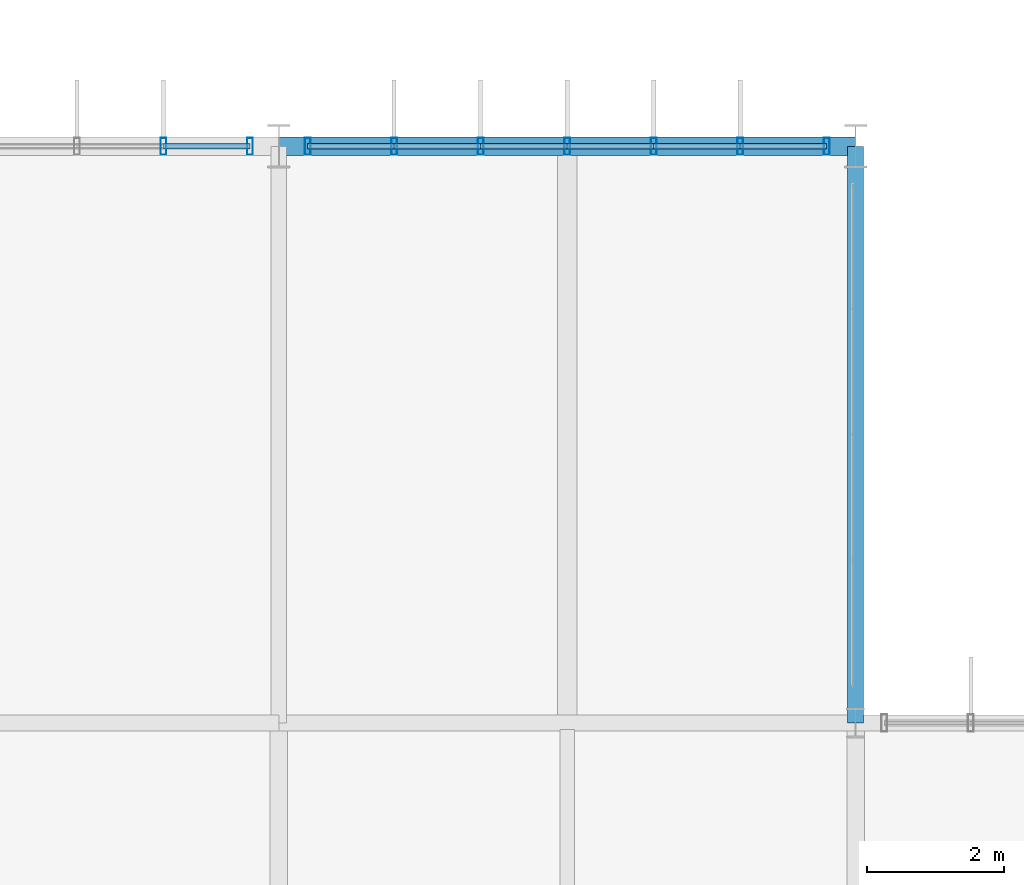
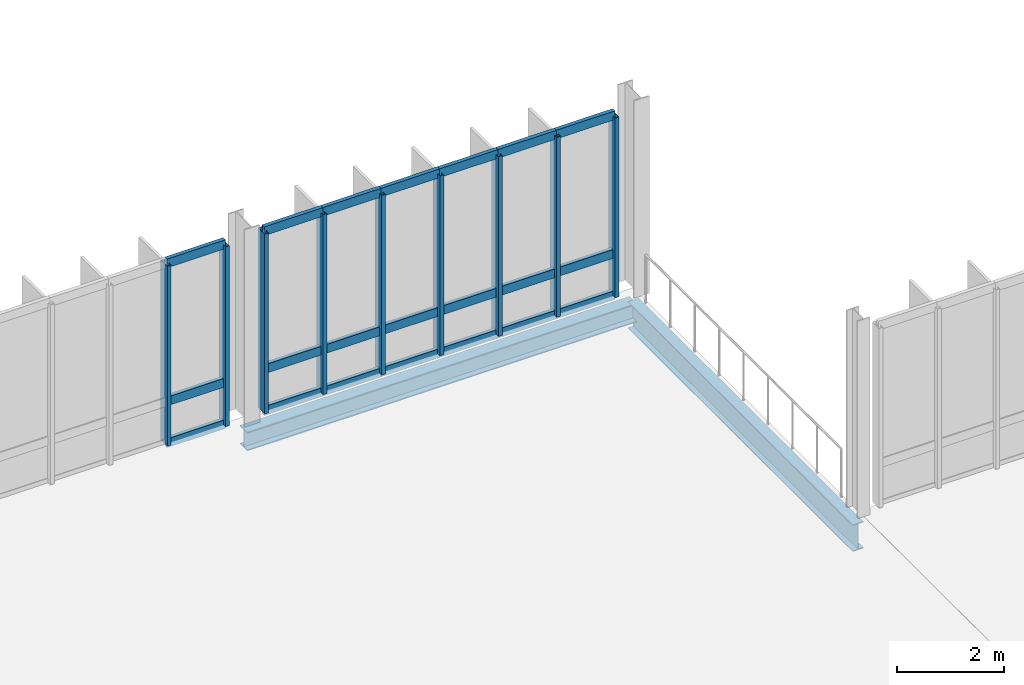
# One storey, part 83 of 139: 30 members, 2 beams, 2 elements without a shape of their own.
"""IFC4 building model written with IfcOpenShell, lengths in metres."""

from ifc_helpers import new_model, si_unit, derived_unit, direction, frame, origin, origin_2d, place, context, subcontext, project, spatial, hollow_rectangle, i_section, extrude, material, layer, layer_set, material_profile, profile_set, type_object, element, aggregate, save


model = new_model("IFC4")

# Units and contexts
model_context = context("Model", 3, precision=1e-05, world=origin(), true_north=direction((0.0, 1.0)))
body_context = subcontext(model_context, "Body", "Model", "MODEL_VIEW")
ifc_project = project(units=[si_unit("LENGTHUNIT", "METRE"), si_unit("AREAUNIT", "SQUARE_METRE"), si_unit("VOLUMEUNIT", "CUBIC_METRE"), si_unit("PLANEANGLEUNIT", "RADIAN"), si_unit("MASSUNIT", "GRAM", prefix="KILO"), derived_unit("THERMALTRANSMITTANCEUNIT", [(si_unit("MASSUNIT", "GRAM", prefix="KILO"), 1), (si_unit("TIMEUNIT", "SECOND"), -3), (si_unit("THERMODYNAMICTEMPERATUREUNIT", "KELVIN"), -1)])], contexts=[model_context])

# Site, building, storey
site_placement = place(None, origin())
site = spatial("IfcSite", under=ifc_project, at=site_placement, CompositionType="ELEMENT")
building_placement = place(site_placement, origin())
building = spatial("IfcBuilding", under=site, at=building_placement, Name="Makaiwela Harbour Ferry Terminal", CompositionType="ELEMENT")
storey_placement = place(building_placement, frame((0.0, 0.0, 5.10009765625)))
storey = spatial("IfcBuildingStorey", under=building, at=storey_placement, Name="L01", CompositionType="ELEMENT", Elevation=5.10009765625)

# Curtain wall, members
ifc_material_1 = material(Name="Marine anodised aluminium 6063-T6", Category="aluminium")
ifc_layer = layer(ifc_material_1, 0.199951171875)
ifc_layer_set = layer_set([ifc_layer], Name="Marine anodised aluminium 6063-T6")
curtain_wall_type = type_object("IfcCurtainWallType", Name="ENV-CW-08", PredefinedType="USERDEFINED", material=ifc_layer_set)
curtain_wall_1_placement = place(storey_placement, origin())
curtain_wall_1 = element("IfcCurtainWall", 1, at=curtain_wall_1_placement, inside=storey, type_object=curtain_wall_type, Name="Unitised Curtain Wall CWA-091", ObjectType="UNITIZED CURTAIN WALL", PredefinedType="USERDEFINED")
ifc_material_profile_1 = material_profile(ifc_material_1, hollow_rectangle(XDim=0.0849609375, YDim=0.25, WallThickness=0.0048828125, at=origin_2d()), Name="CWM-250X85")
ifc_profile_set_1 = profile_set([ifc_material_profile_1], Name="Marine anodised aluminium 6063-T6")
member_type_1 = type_object("IfcMemberType", Name="CW-MUL-250", PredefinedType="MULLION", material=ifc_profile_set_1)
member_1_placement = place(storey_placement, frame((128.52001953125, 103.39990234375, 0.0), z_axis=(0.0, 0.0, 1.0), x_axis=(1.0, 0.0, 0.0)))
member_1 = element("IfcMember", 2, at=member_1_placement, type_object=member_type_1, Name="Curtain Wall Mullion CWA-091-6", PredefinedType="MULLION", context=body_context, shape_type="SweptSolid", body=[
    extrude(hollow_rectangle(XDim=0.0849609375, YDim=0.25, WallThickness=0.0048828125, at=origin_2d()), origin(), (0.0, 0.0, 1.0), 4.099853515625),
])
member_2_placement = place(storey_placement, frame((129.780029296875, 103.39990234375, 0.0), z_axis=(0.0, 0.0, 1.0), x_axis=(1.0, 0.0, 0.0)))
member_2 = element("IfcMember", 3, at=member_2_placement, type_object=member_type_1, Name="Curtain Wall Mullion CWA-091-7", PredefinedType="MULLION", context=body_context, shape_type="SweptSolid", body=[
    extrude(hollow_rectangle(XDim=0.0849609375, YDim=0.25, WallThickness=0.0048828125, at=origin_2d()), origin(), (0.0, 0.0, 1.0), 4.099853515625),
])

curtain_wall_2_placement = place(storey_placement, origin())
curtain_wall_2 = element("IfcCurtainWall", 4, at=curtain_wall_2_placement, inside=storey, type_object=curtain_wall_type, Name="Unitised Curtain Wall CWA-094", ObjectType="UNITIZED CURTAIN WALL", PredefinedType="USERDEFINED")
member_3_placement = place(storey_placement, frame((130.6201171875, 103.39990234375, 0.0), z_axis=(0.0, 0.0, 1.0), x_axis=(1.0, 0.0, 0.0)))
member_3 = element("IfcMember", 5, at=member_3_placement, type_object=member_type_1, Name="Curtain Wall Mullion CWA-094-1", PredefinedType="MULLION", context=body_context, shape_type="SweptSolid", body=[
    extrude(hollow_rectangle(XDim=0.0849609375, YDim=0.25, WallThickness=0.0048828125, at=origin_2d()), origin(), (0.0, 0.0, 1.0), 4.099853515625),
])
member_4_placement = place(storey_placement, frame((131.8798828125, 103.39990234375, 0.0), z_axis=(0.0, 0.0, 1.0), x_axis=(1.0, 0.0, 0.0)))
member_4 = element("IfcMember", 6, at=member_4_placement, type_object=member_type_1, Name="Curtain Wall Mullion CWA-094-2", PredefinedType="MULLION", context=body_context, shape_type="SweptSolid", body=[
    extrude(hollow_rectangle(XDim=0.0849609375, YDim=0.25, WallThickness=0.0048828125, at=origin_2d()), origin(), (0.0, 0.0, 1.0), 4.099853515625),
])
member_5_placement = place(storey_placement, frame((133.139892578125, 103.39990234375, 0.0), z_axis=(0.0, 0.0, 1.0), x_axis=(1.0, 0.0, 0.0)))
member_5 = element("IfcMember", 7, at=member_5_placement, type_object=member_type_1, Name="Curtain Wall Mullion CWA-094-3", PredefinedType="MULLION", context=body_context, shape_type="SweptSolid", body=[
    extrude(hollow_rectangle(XDim=0.0849609375, YDim=0.25, WallThickness=0.0048828125, at=origin_2d()), origin(), (0.0, 0.0, 1.0), 4.099853515625),
])
member_6_placement = place(storey_placement, frame((134.39990234375, 103.39990234375, 0.0), z_axis=(0.0, 0.0, 1.0), x_axis=(1.0, 0.0, 0.0)))
member_6 = element("IfcMember", 8, at=member_6_placement, type_object=member_type_1, Name="Curtain Wall Mullion CWA-094-4", PredefinedType="MULLION", context=body_context, shape_type="SweptSolid", body=[
    extrude(hollow_rectangle(XDim=0.0849609375, YDim=0.25, WallThickness=0.0048828125, at=origin_2d()), origin(), (0.0, 0.0, 1.0), 4.099853515625),
])
member_7_placement = place(storey_placement, frame((135.659912109375, 103.39990234375, 0.0), z_axis=(0.0, 0.0, 1.0), x_axis=(1.0, 0.0, 0.0)))
member_7 = element("IfcMember", 9, at=member_7_placement, type_object=member_type_1, Name="Curtain Wall Mullion CWA-094-5", PredefinedType="MULLION", context=body_context, shape_type="SweptSolid", body=[
    extrude(hollow_rectangle(XDim=0.0849609375, YDim=0.25, WallThickness=0.0048828125, at=origin_2d()), origin(), (0.0, 0.0, 1.0), 4.099853515625),
])
member_8_placement = place(storey_placement, frame((136.919921875, 103.39990234375, 0.0), z_axis=(0.0, 0.0, 1.0), x_axis=(1.0, 0.0, 0.0)))
member_8 = element("IfcMember", 10, at=member_8_placement, type_object=member_type_1, Name="Curtain Wall Mullion CWA-094-6", PredefinedType="MULLION", context=body_context, shape_type="SweptSolid", body=[
    extrude(hollow_rectangle(XDim=0.0849609375, YDim=0.25, WallThickness=0.0048828125, at=origin_2d()), origin(), (0.0, 0.0, 1.0), 4.099853515625),
])
member_9_placement = place(storey_placement, frame((138.179931640625, 103.39990234375, 0.0), z_axis=(0.0, 0.0, 1.0), x_axis=(1.0, 0.0, 0.0)))
member_9 = element("IfcMember", 11, at=member_9_placement, type_object=member_type_1, Name="Curtain Wall Mullion CWA-094-7", PredefinedType="MULLION", context=body_context, shape_type="SweptSolid", body=[
    extrude(hollow_rectangle(XDim=0.0849609375, YDim=0.25, WallThickness=0.0048828125, at=origin_2d()), origin(), (0.0, 0.0, 1.0), 4.099853515625),
])

# Member
ifc_material_profile_2 = material_profile(ifc_material_1, hollow_rectangle(XDim=0.0849609375, YDim=0.199951171875, WallThickness=0.0048828125, at=origin_2d()), Name="CWT-200X85")
ifc_profile_set_2 = profile_set([ifc_material_profile_2], Name="Marine anodised aluminium 6063-T6")
member_type_2 = type_object("IfcMemberType", Name="CW-TRN-200", PredefinedType="USERDEFINED", material=ifc_profile_set_2)
member_10_placement = place(storey_placement, frame((128.52001953125, 103.39990234375, 0.0), z_axis=(1.0, 0.0, 0.0), x_axis=(0.0, 1.0, 0.0)))
member_10 = element("IfcMember", 12, at=member_10_placement, type_object=member_type_2, Name="Curtain Wall Transom CWA-091-6-1", ObjectType="TRANSOM", PredefinedType="USERDEFINED", context=body_context, shape_type="SweptSolid", body=[
    extrude(hollow_rectangle(XDim=0.0849609375, YDim=0.199951171875, WallThickness=0.0048828125, at=origin_2d()), origin(), (0.0, 0.0, 1.0), 1.260009765625),
])

member_11_placement = place(storey_placement, frame((128.52001953125, 103.39990234375, 0.949951171875), z_axis=(1.0, 0.0, 0.0), x_axis=(0.0, 1.0, 0.0)))
member_11 = element("IfcMember", 13, at=member_11_placement, type_object=member_type_2, Name="Curtain Wall Transom CWA-091-6-2", ObjectType="TRANSOM", PredefinedType="USERDEFINED", context=body_context, shape_type="SweptSolid", body=[
    extrude(hollow_rectangle(XDim=0.0849609375, YDim=0.199951171875, WallThickness=0.0048828125, at=origin_2d()), origin(), (0.0, 0.0, 1.0), 1.260009765625),
])

member_12_placement = place(storey_placement, frame((128.52001953125, 103.39990234375, 4.099853515625), z_axis=(1.0, 0.0, 0.0), x_axis=(0.0, 1.0, 0.0)))
member_12 = element("IfcMember", 14, at=member_12_placement, type_object=member_type_2, Name="Curtain Wall Transom CWA-091-6-3", ObjectType="TRANSOM", PredefinedType="USERDEFINED", context=body_context, shape_type="SweptSolid", body=[
    extrude(hollow_rectangle(XDim=0.0849609375, YDim=0.199951171875, WallThickness=0.0048828125, at=origin_2d()), origin(), (0.0, 0.0, 1.0), 1.260009765625),
])

aggregate(curtain_wall_1, [member_1, member_2, member_10, member_11, member_12])

member_13_placement = place(storey_placement, frame((130.6201171875, 103.39990234375, 0.0), z_axis=(1.0, 0.0, 0.0), x_axis=(0.0, 1.0, 0.0)))
member_13 = element("IfcMember", 15, at=member_13_placement, type_object=member_type_2, Name="Curtain Wall Transom CWA-094-1-1", ObjectType="TRANSOM", PredefinedType="USERDEFINED", context=body_context, shape_type="SweptSolid", body=[
    extrude(hollow_rectangle(XDim=0.0849609375, YDim=0.199951171875, WallThickness=0.0048828125, at=origin_2d()), origin(), (0.0, 0.0, 1.0), 1.259765625),
])

member_14_placement = place(storey_placement, frame((130.6201171875, 103.39990234375, 0.949951171875), z_axis=(1.0, 0.0, 0.0), x_axis=(0.0, 1.0, 0.0)))
member_14 = element("IfcMember", 16, at=member_14_placement, type_object=member_type_2, Name="Curtain Wall Transom CWA-094-1-2", ObjectType="TRANSOM", PredefinedType="USERDEFINED", context=body_context, shape_type="SweptSolid", body=[
    extrude(hollow_rectangle(XDim=0.0849609375, YDim=0.199951171875, WallThickness=0.0048828125, at=origin_2d()), origin(), (0.0, 0.0, 1.0), 1.259765625),
])

member_15_placement = place(storey_placement, frame((130.6201171875, 103.39990234375, 4.099853515625), z_axis=(1.0, 0.0, 0.0), x_axis=(0.0, 1.0, 0.0)))
member_15 = element("IfcMember", 17, at=member_15_placement, type_object=member_type_2, Name="Curtain Wall Transom CWA-094-1-3", ObjectType="TRANSOM", PredefinedType="USERDEFINED", context=body_context, shape_type="SweptSolid", body=[
    extrude(hollow_rectangle(XDim=0.0849609375, YDim=0.199951171875, WallThickness=0.0048828125, at=origin_2d()), origin(), (0.0, 0.0, 1.0), 1.259765625),
])

member_16_placement = place(storey_placement, frame((131.8798828125, 103.39990234375, 0.0), z_axis=(1.0, 0.0, 0.0), x_axis=(0.0, 1.0, 0.0)))
member_16 = element("IfcMember", 18, at=member_16_placement, type_object=member_type_2, Name="Curtain Wall Transom CWA-094-2-1", ObjectType="TRANSOM", PredefinedType="USERDEFINED", context=body_context, shape_type="SweptSolid", body=[
    extrude(hollow_rectangle(XDim=0.0849609375, YDim=0.199951171875, WallThickness=0.0048828125, at=origin_2d()), origin(), (0.0, 0.0, 1.0), 1.260009765625),
])

member_17_placement = place(storey_placement, frame((131.8798828125, 103.39990234375, 0.949951171875), z_axis=(1.0, 0.0, 0.0), x_axis=(0.0, 1.0, 0.0)))
member_17 = element("IfcMember", 19, at=member_17_placement, type_object=member_type_2, Name="Curtain Wall Transom CWA-094-2-2", ObjectType="TRANSOM", PredefinedType="USERDEFINED", context=body_context, shape_type="SweptSolid", body=[
    extrude(hollow_rectangle(XDim=0.0849609375, YDim=0.199951171875, WallThickness=0.0048828125, at=origin_2d()), origin(), (0.0, 0.0, 1.0), 1.260009765625),
])

member_18_placement = place(storey_placement, frame((131.8798828125, 103.39990234375, 4.099853515625), z_axis=(1.0, 0.0, 0.0), x_axis=(0.0, 1.0, 0.0)))
member_18 = element("IfcMember", 20, at=member_18_placement, type_object=member_type_2, Name="Curtain Wall Transom CWA-094-2-3", ObjectType="TRANSOM", PredefinedType="USERDEFINED", context=body_context, shape_type="SweptSolid", body=[
    extrude(hollow_rectangle(XDim=0.0849609375, YDim=0.199951171875, WallThickness=0.0048828125, at=origin_2d()), origin(), (0.0, 0.0, 1.0), 1.260009765625),
])

member_19_placement = place(storey_placement, frame((133.139892578125, 103.39990234375, 0.0), z_axis=(1.0, 0.0, 0.0), x_axis=(0.0, 1.0, 0.0)))
member_19 = element("IfcMember", 21, at=member_19_placement, type_object=member_type_2, Name="Curtain Wall Transom CWA-094-3-1", ObjectType="TRANSOM", PredefinedType="USERDEFINED", context=body_context, shape_type="SweptSolid", body=[
    extrude(hollow_rectangle(XDim=0.0849609375, YDim=0.199951171875, WallThickness=0.0048828125, at=origin_2d()), origin(), (0.0, 0.0, 1.0), 1.260009765625),
])

member_20_placement = place(storey_placement, frame((133.139892578125, 103.39990234375, 0.949951171875), z_axis=(1.0, 0.0, 0.0), x_axis=(0.0, 1.0, 0.0)))
member_20 = element("IfcMember", 22, at=member_20_placement, type_object=member_type_2, Name="Curtain Wall Transom CWA-094-3-2", ObjectType="TRANSOM", PredefinedType="USERDEFINED", context=body_context, shape_type="SweptSolid", body=[
    extrude(hollow_rectangle(XDim=0.0849609375, YDim=0.199951171875, WallThickness=0.0048828125, at=origin_2d()), origin(), (0.0, 0.0, 1.0), 1.260009765625),
])

member_21_placement = place(storey_placement, frame((133.139892578125, 103.39990234375, 4.099853515625), z_axis=(1.0, 0.0, 0.0), x_axis=(0.0, 1.0, 0.0)))
member_21 = element("IfcMember", 23, at=member_21_placement, type_object=member_type_2, Name="Curtain Wall Transom CWA-094-3-3", ObjectType="TRANSOM", PredefinedType="USERDEFINED", context=body_context, shape_type="SweptSolid", body=[
    extrude(hollow_rectangle(XDim=0.0849609375, YDim=0.199951171875, WallThickness=0.0048828125, at=origin_2d()), origin(), (0.0, 0.0, 1.0), 1.260009765625),
])

member_22_placement = place(storey_placement, frame((134.39990234375, 103.39990234375, 0.0), z_axis=(1.0, 0.0, 0.0), x_axis=(0.0, 1.0, 0.0)))
member_22 = element("IfcMember", 24, at=member_22_placement, type_object=member_type_2, Name="Curtain Wall Transom CWA-094-4-1", ObjectType="TRANSOM", PredefinedType="USERDEFINED", context=body_context, shape_type="SweptSolid", body=[
    extrude(hollow_rectangle(XDim=0.0849609375, YDim=0.199951171875, WallThickness=0.0048828125, at=origin_2d()), origin(), (0.0, 0.0, 1.0), 1.260009765625),
])

member_23_placement = place(storey_placement, frame((134.39990234375, 103.39990234375, 0.949951171875), z_axis=(1.0, 0.0, 0.0), x_axis=(0.0, 1.0, 0.0)))
member_23 = element("IfcMember", 25, at=member_23_placement, type_object=member_type_2, Name="Curtain Wall Transom CWA-094-4-2", ObjectType="TRANSOM", PredefinedType="USERDEFINED", context=body_context, shape_type="SweptSolid", body=[
    extrude(hollow_rectangle(XDim=0.0849609375, YDim=0.199951171875, WallThickness=0.0048828125, at=origin_2d()), origin(), (0.0, 0.0, 1.0), 1.260009765625),
])

member_24_placement = place(storey_placement, frame((134.39990234375, 103.39990234375, 4.099853515625), z_axis=(1.0, 0.0, 0.0), x_axis=(0.0, 1.0, 0.0)))
member_24 = element("IfcMember", 26, at=member_24_placement, type_object=member_type_2, Name="Curtain Wall Transom CWA-094-4-3", ObjectType="TRANSOM", PredefinedType="USERDEFINED", context=body_context, shape_type="SweptSolid", body=[
    extrude(hollow_rectangle(XDim=0.0849609375, YDim=0.199951171875, WallThickness=0.0048828125, at=origin_2d()), origin(), (0.0, 0.0, 1.0), 1.260009765625),
])

member_25_placement = place(storey_placement, frame((135.659912109375, 103.39990234375, 0.0), z_axis=(1.0, 0.0, 0.0), x_axis=(0.0, 1.0, 0.0)))
member_25 = element("IfcMember", 27, at=member_25_placement, type_object=member_type_2, Name="Curtain Wall Transom CWA-094-5-1", ObjectType="TRANSOM", PredefinedType="USERDEFINED", context=body_context, shape_type="SweptSolid", body=[
    extrude(hollow_rectangle(XDim=0.0849609375, YDim=0.199951171875, WallThickness=0.0048828125, at=origin_2d()), origin(), (0.0, 0.0, 1.0), 1.260009765625),
])

member_26_placement = place(storey_placement, frame((135.659912109375, 103.39990234375, 0.949951171875), z_axis=(1.0, 0.0, 0.0), x_axis=(0.0, 1.0, 0.0)))
member_26 = element("IfcMember", 28, at=member_26_placement, type_object=member_type_2, Name="Curtain Wall Transom CWA-094-5-2", ObjectType="TRANSOM", PredefinedType="USERDEFINED", context=body_context, shape_type="SweptSolid", body=[
    extrude(hollow_rectangle(XDim=0.0849609375, YDim=0.199951171875, WallThickness=0.0048828125, at=origin_2d()), origin(), (0.0, 0.0, 1.0), 1.260009765625),
])

member_27_placement = place(storey_placement, frame((135.659912109375, 103.39990234375, 4.099853515625), z_axis=(1.0, 0.0, 0.0), x_axis=(0.0, 1.0, 0.0)))
member_27 = element("IfcMember", 29, at=member_27_placement, type_object=member_type_2, Name="Curtain Wall Transom CWA-094-5-3", ObjectType="TRANSOM", PredefinedType="USERDEFINED", context=body_context, shape_type="SweptSolid", body=[
    extrude(hollow_rectangle(XDim=0.0849609375, YDim=0.199951171875, WallThickness=0.0048828125, at=origin_2d()), origin(), (0.0, 0.0, 1.0), 1.260009765625),
])

member_28_placement = place(storey_placement, frame((136.919921875, 103.39990234375, 0.0), z_axis=(1.0, 0.0, 0.0), x_axis=(0.0, 1.0, 0.0)))
member_28 = element("IfcMember", 30, at=member_28_placement, type_object=member_type_2, Name="Curtain Wall Transom CWA-094-6-1", ObjectType="TRANSOM", PredefinedType="USERDEFINED", context=body_context, shape_type="SweptSolid", body=[
    extrude(hollow_rectangle(XDim=0.0849609375, YDim=0.199951171875, WallThickness=0.0048828125, at=origin_2d()), origin(), (0.0, 0.0, 1.0), 1.260009765625),
])

member_29_placement = place(storey_placement, frame((136.919921875, 103.39990234375, 0.949951171875), z_axis=(1.0, 0.0, 0.0), x_axis=(0.0, 1.0, 0.0)))
member_29 = element("IfcMember", 31, at=member_29_placement, type_object=member_type_2, Name="Curtain Wall Transom CWA-094-6-2", ObjectType="TRANSOM", PredefinedType="USERDEFINED", context=body_context, shape_type="SweptSolid", body=[
    extrude(hollow_rectangle(XDim=0.0849609375, YDim=0.199951171875, WallThickness=0.0048828125, at=origin_2d()), origin(), (0.0, 0.0, 1.0), 1.260009765625),
])

member_30_placement = place(storey_placement, frame((136.919921875, 103.39990234375, 4.099853515625), z_axis=(1.0, 0.0, 0.0), x_axis=(0.0, 1.0, 0.0)))
member_30 = element("IfcMember", 32, at=member_30_placement, type_object=member_type_2, Name="Curtain Wall Transom CWA-094-6-3", ObjectType="TRANSOM", PredefinedType="USERDEFINED", context=body_context, shape_type="SweptSolid", body=[
    extrude(hollow_rectangle(XDim=0.0849609375, YDim=0.199951171875, WallThickness=0.0048828125, at=origin_2d()), origin(), (0.0, 0.0, 1.0), 1.260009765625),
])

aggregate(curtain_wall_2, [member_3, member_4, member_5, member_6, member_7, member_8, member_9, member_13, member_14, member_15, member_16, member_17, member_18, member_19, member_20, member_21, member_22, member_23, member_24, member_25, member_26, member_27, member_28, member_29, member_30])

# Beams
ifc_material_2 = material(Name="Steel ASTM A992 Grade 50", Category="steel")
ifc_material_profile_3 = material_profile(ifc_material_2, i_section(OverallWidth=0.22900390625, OverallDepth=0.612060546875, WebThickness=0.011962890625, FlangeThickness=0.01953125, at=origin_2d()), Name="W24X84")
ifc_profile_set_3 = profile_set([ifc_material_profile_3], Name="Steel ASTM A992 Grade 50")
beam_type_1 = type_object("IfcBeamType", Name="STR-GRD-W24X84", PredefinedType="USERDEFINED", material=ifc_profile_set_3)
beam_1_placement = place(storey_placement, frame((138.60009765625, 95.0, -0.586181640625), z_axis=(0.0, 1.0, 0.0), x_axis=(-1.0, 0.0, 0.0)))
element("IfcBeam", 33, at=beam_1_placement, inside=storey, type_object=beam_type_1, Name="Primary Y girder 1018", ObjectType="GIRDER", PredefinedType="USERDEFINED", context=body_context, shape_type="SweptSolid", body=[
    extrude(i_section(OverallWidth=0.22900390625, OverallDepth=0.612060546875, WebThickness=0.011962890625, FlangeThickness=0.01953125, at=origin_2d()), origin(), (0.0, 0.0, 1.0), 8.39990234375),
])
ifc_material_profile_4 = material_profile(ifc_material_2, i_section(OverallWidth=0.264892578125, OverallDepth=0.430908203125, WebThickness=0.014892578125, FlangeThickness=0.02490234375, at=origin_2d()), Name="W16X100")
ifc_profile_set_4 = profile_set([ifc_material_profile_4], Name="Steel ASTM A992 Grade 50")
beam_type_2 = type_object("IfcBeamType", Name="STR-SPN-W16X100", PredefinedType="SPANDREL", material=ifc_profile_set_4)
beam_2_placement = place(storey_placement, frame((130.199951171875, 103.39990234375, -0.49560546875), z_axis=(1.0, 0.0, 0.0), x_axis=(0.0, 1.0, 0.0)))
element("IfcBeam", 34, at=beam_2_placement, inside=storey, type_object=beam_type_2, Name="Primary X girder 906", PredefinedType="SPANDREL", context=body_context, shape_type="SweptSolid", body=[
    extrude(i_section(OverallWidth=0.264892578125, OverallDepth=0.430908203125, WebThickness=0.014892578125, FlangeThickness=0.02490234375, at=origin_2d()), origin(), (0.0, 0.0, 1.0), 8.400146484375),
])

save(model, "model.ifc")
